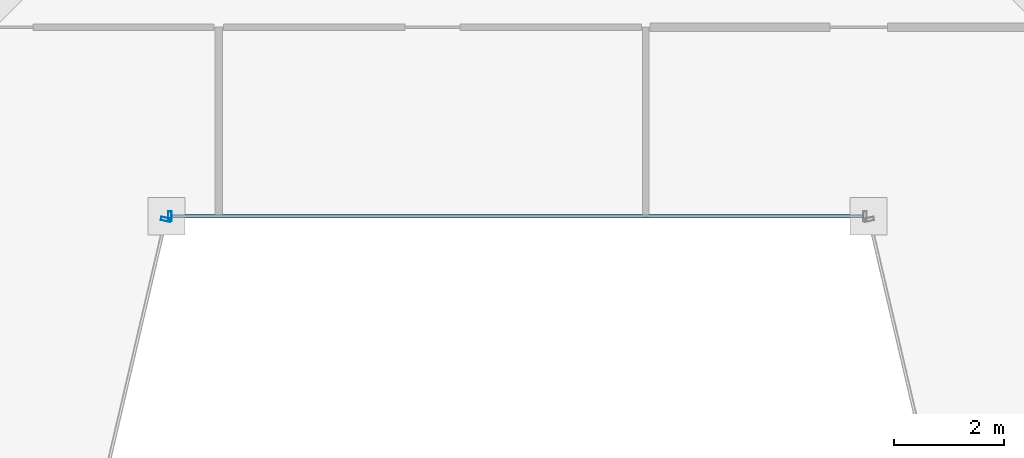
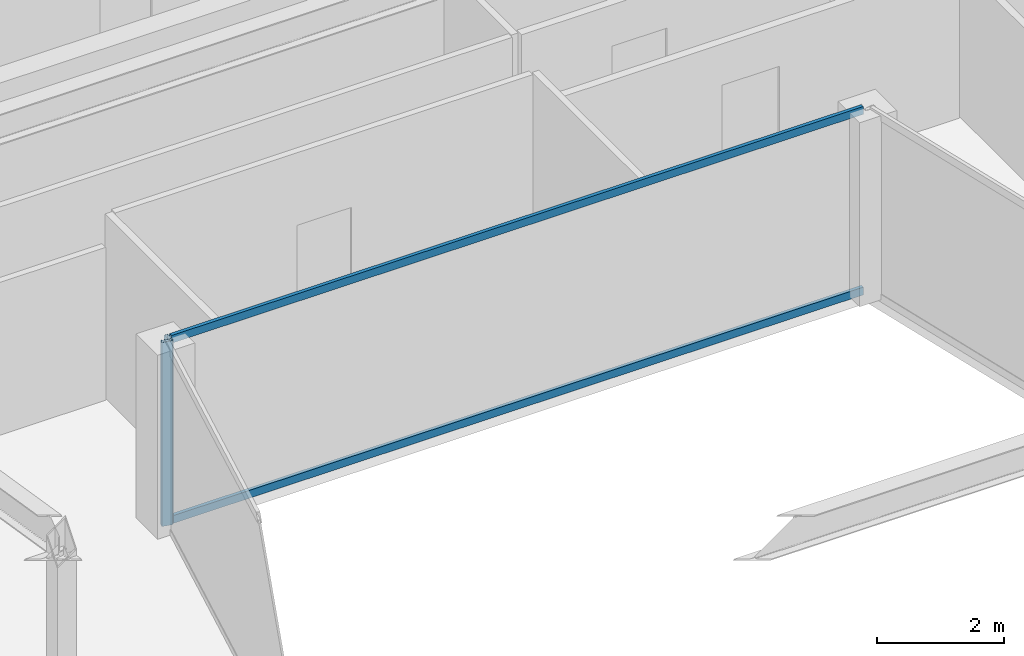
# One storey, part 8 of 32: 4 members, 2 elements without a shape of their own.
"""IFC4 building model written with IfcOpenShell, lengths in metres."""

import ifcopenshell
import ifcopenshell.guid

model = None  # the IFC model being written
_history = None  # IfcOwnerHistory: only IFC2X3 demands one
_inside = {}  # id of a spatial element -> (the spatial element, [elements in it])
_under = {}  # id of a project, library or spatial element -> (it, [spatial elements below it])
_declared = {}  # id of a project -> (the project, [libraries it declares])
_typed = {}  # id of a type object -> (the type object, [elements of that type])
_made_of = {}  # id of a material, layer set ... -> (it, [elements and type objects made of it])


def new_model(schema):
    """Start an empty IFC model of exactly this schema.

    Asked for "IFC4X3", IfcOpenShell would pick the latest addendum, in which some entities
    have other attributes; the version numbers below select the first issue.
    IFC2X3 requires an IfcOwnerHistory on every rooted entity: one is made here for all.
    """
    global model, _history
    if schema == "IFC4X3":
        model = ifcopenshell.file(schema_version=(4, 3, 0, 0))
    else:
        model = ifcopenshell.file(schema=schema)
    _inside.clear()
    _under.clear()
    _declared.clear()
    _typed.clear()
    _made_of.clear()
    _history = None
    if model.schema == "IFC2X3":
        org = make("IfcOrganization", Name="unknown")
        user = make(
            "IfcPersonAndOrganization",
            ThePerson=make("IfcPerson", FamilyName="unknown"),
            TheOrganization=org,
        )
        app = make(
            "IfcApplication",
            ApplicationDeveloper=org,
            Version="unknown",
            ApplicationFullName="unknown",
            ApplicationIdentifier="unknown",
        )
        _history = make(
            "IfcOwnerHistory",
            OwningUser=user,
            OwningApplication=app,
            ChangeAction="ADDED",
            CreationDate=0,
        )
    return model


def make(cls, **values):
    """One entity of the class cls with the attributes given. An attribute that is None is left unset."""
    return model.create_entity(
        cls, **{name: value for name, value in values.items() if value is not None}
    )


def rooted(cls, **values):
    """An entity with a GlobalId (a new one), such as an element, a storey or a relation."""
    return make(cls, GlobalId=ifcopenshell.guid.new(), OwnerHistory=_history, **values)


def si_unit(unit_type, name, prefix=None):
    """IfcSIUnit, for example si_unit("LENGTHUNIT", "METRE", prefix="MILLI")."""
    return make("IfcSIUnit", UnitType=unit_type, Prefix=prefix, Name=name)


def assignment(units):
    """IfcUnitAssignment: the units of a project."""
    return None if units is None else make("IfcUnitAssignment", Units=units)


def point(xyz):
    """IfcCartesianPoint."""
    return None if xyz is None else make("IfcCartesianPoint", Coordinates=xyz)


def direction(xyz):
    """IfcDirection."""
    return None if xyz is None else make("IfcDirection", DirectionRatios=xyz)


def frame(location, z_axis=None, x_axis=None):
    """IfcAxis2Placement3D, a coordinate frame: its origin and axes. An axis left out is left unset."""
    return make(
        "IfcAxis2Placement3D",
        Location=point(location),
        Axis=direction(z_axis),
        RefDirection=direction(x_axis),
    )


def frame_2d(location, x_axis=None):
    """IfcAxis2Placement2D, a coordinate frame in the plane: its origin and x axis."""
    return make(
        "IfcAxis2Placement2D", Location=point(location), RefDirection=direction(x_axis)
    )


def origin():
    """The frame at (0, 0, 0) with its axes left unset."""
    return frame((0.0, 0.0, 0.0))


def origin_2d():
    """The frame at (0, 0) in the plane with its x axis left unset."""
    return frame_2d((0.0, 0.0))


def place(relative_to, where):
    """IfcLocalPlacement: puts the frame where relative to a parent placement (None: the world)."""
    return make(
        "IfcLocalPlacement", PlacementRelTo=relative_to, RelativePlacement=where
    )


def context(
    kind, dimensions, precision=None, world=None, true_north=None, identifier=None
):
    """IfcGeometricRepresentationContext, for example the 3D "Model" context."""
    return make(
        "IfcGeometricRepresentationContext",
        ContextIdentifier=identifier,
        ContextType=kind,
        CoordinateSpaceDimension=dimensions,
        Precision=precision,
        WorldCoordinateSystem=world,
        TrueNorth=true_north,
    )


def subcontext(parent, identifier, kind, view, scale=None):
    """IfcGeometricRepresentationSubContext, for example "Body" below "Model"."""
    return make(
        "IfcGeometricRepresentationSubContext",
        ContextIdentifier=identifier,
        ContextType=kind,
        ParentContext=parent,
        TargetScale=scale,
        TargetView=view,
    )


def project(units=None, contexts=None):
    """IfcProject with its units and contexts."""
    return rooted(
        "IfcProject",
        Name="project",
        RepresentationContexts=contexts,
        UnitsInContext=assignment(units),
    )


def spatial(cls, under=None, at=None, **own):
    """A site, building, storey or space (cls), placed at a placement, below another one or the project."""
    s = rooted(cls, ObjectPlacement=at, **own)
    if under is not None:
        _under.setdefault(under.id(), (under, []))[1].append(s)
    return s


def profile(cls, at=None, kind="AREA", **sizes):
    """A parametric profile (cls). Its sizes go by their IFC names, for example OverallWidth=200.0."""
    return make(cls, ProfileType=kind, Position=at, **sizes)


def hollow_rectangle(**sizes):
    """IfcRectangleHollowProfileDef."""
    return profile("IfcRectangleHollowProfileDef", **sizes)


def extrude(swept, where, along, depth):
    """IfcExtrudedAreaSolid: the profile swept, set in the frame where, extruded along a direction by depth."""
    return make(
        "IfcExtrudedAreaSolid",
        SweptArea=swept,
        Position=where,
        ExtrudedDirection=direction(along),
        Depth=depth,
    )


def shape(context_of_items, identifier, shape_type, items):
    """IfcShapeRepresentation: the items that make up one representation, for example the "Body"."""
    return make(
        "IfcShapeRepresentation",
        ContextOfItems=context_of_items,
        RepresentationIdentifier=identifier,
        RepresentationType=shape_type,
        Items=items,
    )


def material(Name=None, Category=None):
    """IfcMaterial."""
    return make("IfcMaterial", Name=Name, Category=Category)


def material_profile(
    of_material, cross_section, Name=None, Category=None, Priority=None
):
    """IfcMaterialProfile: a cross section and its material."""
    return make(
        "IfcMaterialProfile",
        Name=Name,
        Material=of_material,
        Profile=cross_section,
        Priority=Priority,
        Category=Category,
    )


def profile_set(profiles, Name=None, composite=None):
    """IfcMaterialProfileSet."""
    return make(
        "IfcMaterialProfileSet",
        Name=Name,
        MaterialProfiles=profiles,
        CompositeProfile=composite,
    )


def made_of(thing, what):
    """Note that an element or type object is made of a material, layer set ...; save() writes the relation."""
    if what is not None:
        _made_of.setdefault(what.id(), (what, []))[1].append(thing)
    return thing


def type_object(cls, material=None, **own):
    """A type object (cls), such as IfcWallType, which elements share."""
    return made_of(rooted(cls, **own), material)


def element(
    cls,
    number,
    at=None,
    inside=None,
    cuts=None,
    type_object=None,
    material=None,
    context=None,
    identifier="Body",
    shape_type=None,
    held_by="IfcProductDefinitionShape",
    body=None,
    shapes=None,
    **own,
):
    """One element of the class cls, such as IfcWall. Its Tag is "e" and its number.

    at: its placement. inside: the storey or other place that contains it. cuts: it is an
    opening in that element (IfcRelVoidsElement). A single representation is given by context,
    identifier, shape_type and body (its items); several are given by shapes. held_by: the class
    of the entity that holds the representations. save() writes the other relations.
    """
    e = rooted(cls, Tag="e%d" % number, ObjectPlacement=at, **own)
    if body is not None:
        shapes = [shape(context, identifier, shape_type, body)]
    if shapes is not None:
        e.Representation = make(held_by, Representations=shapes)
    if inside is not None:
        _inside.setdefault(inside.id(), (inside, []))[1].append(e)
    if cuts is not None:
        rooted(
            "IfcRelVoidsElement", RelatingBuildingElement=cuts, RelatedOpeningElement=e
        )
    if type_object is not None:
        _typed.setdefault(type_object.id(), (type_object, []))[1].append(e)
    return made_of(e, material)


def aggregate(whole, parts):
    """IfcRelAggregates: a whole, such as a stair, and the parts it consists of."""
    return rooted("IfcRelAggregates", RelatingObject=whole, RelatedObjects=parts)


def save(model, path):
    """Write the relations noted so far, then the file.

    IfcRelAggregates (storeys below a building ...), IfcRelContainedInSpatialStructure (elements
    in a storey), IfcRelDefinesByType, IfcRelAssociatesMaterial and IfcRelDeclares: one each for
    every whole, place, type object, material and project.
    """
    for whole, parts in _under.values():
        aggregate(whole, parts)
    for where, things in _inside.values():
        rooted(
            "IfcRelContainedInSpatialStructure",
            RelatedElements=things,
            RelatingStructure=where,
        )
    for kind, things in _typed.values():
        rooted("IfcRelDefinesByType", RelatedObjects=things, RelatingType=kind)
    for what, things in _made_of.values():
        rooted("IfcRelAssociatesMaterial", RelatedObjects=things, RelatingMaterial=what)
    for by, libraries in _declared.values():
        rooted("IfcRelDeclares", RelatingContext=by, RelatedDefinitions=libraries)
    model.write(path)


model = new_model("IFC4")

# Units and contexts
model_context = context("Model", 3, precision=1e-05, world=origin(), true_north=direction((0.0, 1.0)))
body_context = subcontext(model_context, "Body", "Model", "MODEL_VIEW")
ifc_project = project(units=[si_unit("LENGTHUNIT", "METRE"), si_unit("AREAUNIT", "SQUARE_METRE"), si_unit("VOLUMEUNIT", "CUBIC_METRE"), si_unit("PLANEANGLEUNIT", "RADIAN"), si_unit("MASSUNIT", "GRAM", prefix="KILO")], contexts=[model_context])

# Site, building, storey
site_placement = place(None, origin())
site = spatial("IfcSite", under=ifc_project, at=site_placement, CompositionType="ELEMENT")
building_placement = place(site_placement, origin())
building = spatial("IfcBuilding", under=site, at=building_placement, Name="Saevonmaru Cultural Tower", CompositionType="ELEMENT")
storey_placement = place(building_placement, frame((0.0, 0.0, 261.0)))
storey = spatial("IfcBuildingStorey", under=building, at=storey_placement, Name="L61", CompositionType="ELEMENT", Elevation=261.0)

# Curtain wall, member
ifc_material = material(Name="Satin Bronze Anodised Aluminium", Category="aluminium")
curtain_wall_type = type_object("IfcCurtainWallType", Name="CW-TYP-B", PredefinedType="NOTDEFINED", material=ifc_material)
curtain_wall_1_placement = place(storey_placement, origin())
curtain_wall_1 = element("IfcCurtainWall", 1, at=curtain_wall_1_placement, inside=storey, type_object=curtain_wall_type, Name="L61 Unitised Curtain Wall E3", PredefinedType="NOTDEFINED")
ifc_material_profile_1 = material_profile(ifc_material, hollow_rectangle(XDim=0.06494140625, YDim=0.179931640625, WallThickness=0.00390625, at=origin_2d()), Name="ALU-MULL-180x65x4")
ifc_profile_set_1 = profile_set([ifc_material_profile_1], Name="Satin Bronze Anodised Aluminium")
member_type_1 = type_object("IfcMemberType", Name="ML-CW-180x65", PredefinedType="MULLION", material=ifc_profile_set_1)
member_1_placement = place(storey_placement, frame((23.581787109375, 35.54150390625, 0.0), z_axis=(0.0, 0.0, 1.0), x_axis=(0.228189509449, 0.973616735568, 0.0)))
member_1 = element("IfcMember", 2, at=member_1_placement, type_object=member_type_1, Name="CW-TW-L61-E3 mullion 2", PredefinedType="MULLION", context=body_context, shape_type="SweptSolid", body=[
    extrude(hollow_rectangle(XDim=0.06494140625, YDim=0.179931640625, WallThickness=0.00390625, at=origin_2d()), origin(), (0.0, 0.0, 1.0), 3.550048828125),
])
aggregate(curtain_wall_1, [member_1])

# Curtain wall, members
curtain_wall_2_placement = place(storey_placement, origin())
curtain_wall_2 = element("IfcCurtainWall", 3, at=curtain_wall_2_placement, inside=storey, type_object=curtain_wall_type, Name="L61 Unitised Curtain Wall E4", PredefinedType="NOTDEFINED")
member_2_placement = place(storey_placement, frame((23.655517578125, 35.60009765625, 0.0), z_axis=(0.0, 0.0, 1.0), x_axis=(1.0, 0.0, 0.0)))
member_2 = element("IfcMember", 4, at=member_2_placement, type_object=member_type_1, Name="CW-TW-L61-E4 mullion 1", PredefinedType="MULLION", context=body_context, shape_type="SweptSolid", body=[
    extrude(hollow_rectangle(XDim=0.06494140625, YDim=0.179931640625, WallThickness=0.00390625, at=origin_2d()), origin(), (0.0, 0.0, 1.0), 3.550048828125),
])
ifc_material_profile_2 = material_profile(ifc_material, hollow_rectangle(XDim=0.06494140625, YDim=0.14990234375, WallThickness=0.00390625, at=origin_2d()), Name="ALU-TRAN-150x65x4")
ifc_profile_set_2 = profile_set([ifc_material_profile_2], Name="Satin Bronze Anodised Aluminium")
member_type_2 = type_object("IfcMemberType", Name="TR-CW-150x65", PredefinedType="USERDEFINED", material=ifc_profile_set_2)
member_3_placement = place(storey_placement, frame((23.68798828125, 35.60009765625, 0.032470703125), z_axis=(1.0, 0.0, 0.0), x_axis=(0.0, 1.0, 0.0)))
member_3 = element("IfcMember", 5, at=member_3_placement, type_object=member_type_2, Name="CW-TW-L61-E4 transom 1.1", ObjectType="TRANSOM", PredefinedType="USERDEFINED", context=body_context, shape_type="SweptSolid", body=[
    extrude(hollow_rectangle(XDim=0.06494140625, YDim=0.14990234375, WallThickness=0.00390625, at=origin_2d()), origin(), (0.0, 0.0, 1.0), 12.6240234375),
])
member_4_placement = place(storey_placement, frame((23.68798828125, 35.60009765625, 3.517578125), z_axis=(1.0, 0.0, 0.0), x_axis=(0.0, 1.0, 0.0)))
member_4 = element("IfcMember", 6, at=member_4_placement, type_object=member_type_2, Name="CW-TW-L61-E4 transom 1.2", ObjectType="TRANSOM", PredefinedType="USERDEFINED", context=body_context, shape_type="SweptSolid", body=[
    extrude(hollow_rectangle(XDim=0.06494140625, YDim=0.14990234375, WallThickness=0.00390625, at=origin_2d()), origin(), (0.0, 0.0, 1.0), 12.6240234375),
])
aggregate(curtain_wall_2, [member_2, member_3, member_4])

save(model, "model.ifc")
